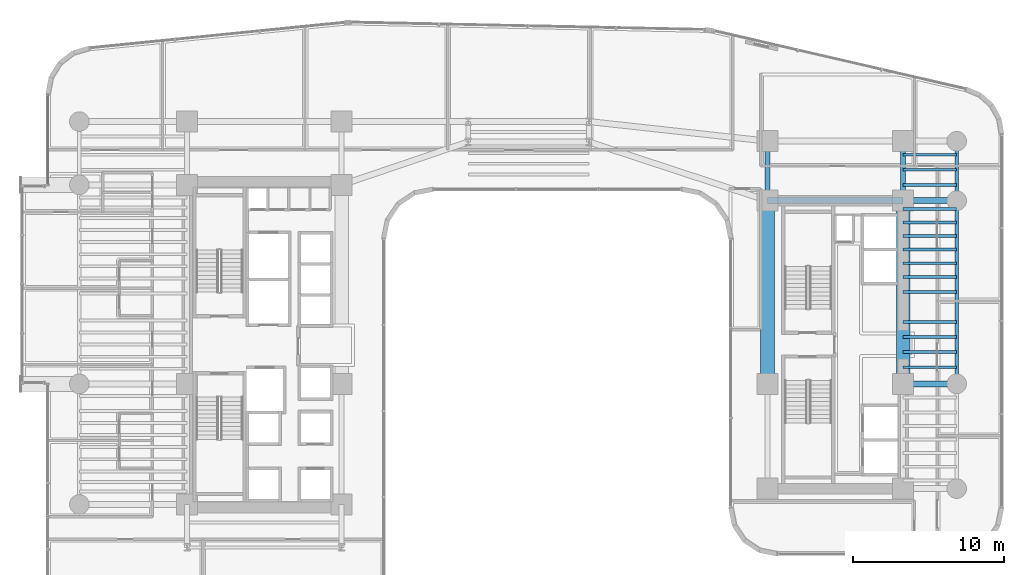
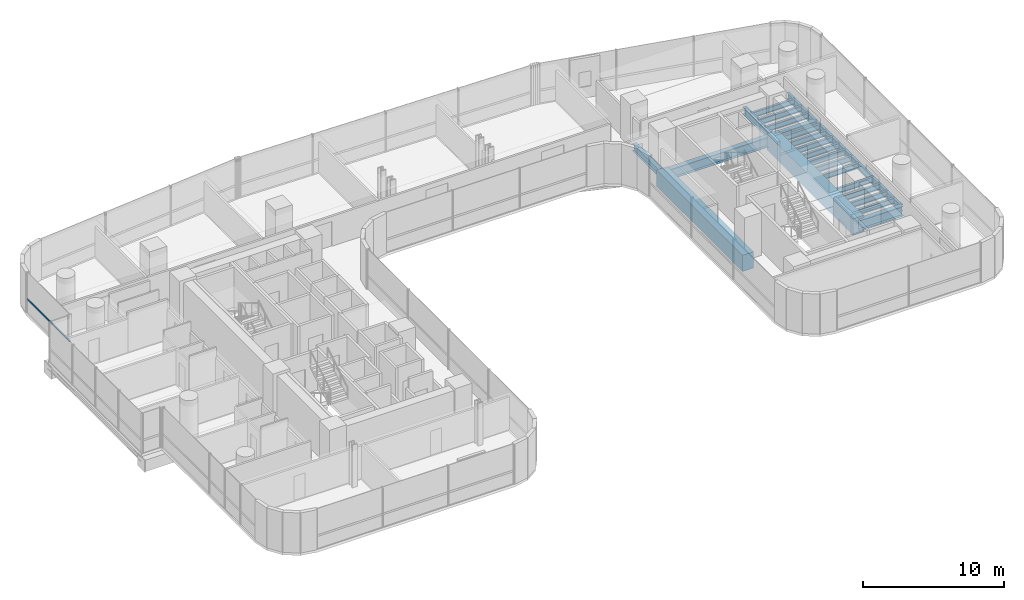
# One storey, part 16 of 39: 23 beams, 1 member, 1 element without a shape of its own.
"""IFC4 building model written with IfcOpenShell, lengths in metres."""

from ifc_helpers import new_model, si_unit, direction, frame, origin, origin_2d, place, context, subcontext, project, spatial, rectangle, hollow_rectangle, i_section, extrude, source, transform, mapped, material, material_profile, profile_set, type_object, element, aggregate, save


model = new_model("IFC4")

# Units and contexts
model_context = context("Model", 3, precision=1e-05, world=origin(), true_north=direction((0.0, 1.0)))
body_context = subcontext(model_context, "Body", "Model", "MODEL_VIEW")
ifc_project = project(units=[si_unit("LENGTHUNIT", "METRE"), si_unit("AREAUNIT", "SQUARE_METRE"), si_unit("VOLUMEUNIT", "CUBIC_METRE"), si_unit("PLANEANGLEUNIT", "RADIAN"), si_unit("MASSUNIT", "GRAM", prefix="KILO")], contexts=[model_context])

# Site, building, storey
site_placement = place(None, origin())
site = spatial("IfcSite", under=ifc_project, at=site_placement, CompositionType="ELEMENT")
building_placement = place(site_placement, origin())
building = spatial("IfcBuilding", under=site, at=building_placement, Name="Valdorenza Pilgrim Sanctuary Tower", CompositionType="ELEMENT")
storey_placement = place(building_placement, frame((0.0, 0.0, 77.800048828125)))
storey = spatial("IfcBuildingStorey", under=building, at=storey_placement, Name="L19", CompositionType="ELEMENT", Elevation=77.800048828125)

# Beams
ifc_material_1 = material(Name="Concrete C60/75", Category="concrete")
ifc_material_profile_1 = material_profile(ifc_material_1, rectangle(XDim=0.89990234375, YDim=1.39990234375, at=origin_2d()), Name="RC 1400x900")
ifc_profile_set_1 = profile_set([ifc_material_profile_1], Name="Concrete C60/75")
beam_type_1 = type_object("IfcBeamType", Name="STR-BM-LNT-1400", PredefinedType="LINTEL", material=ifc_profile_set_1)
shared_shape_1 = source(origin(), body_context, "Body", "SweptSolid", [
    extrude(rectangle(XDim=0.89990234375, YDim=1.39990234375, at=origin_2d()), origin(), (0.0, 0.0, 1.0), 12.150146484375),
])
for number, where, z_axis, x_axis, name in (
    (1, (15.85009765625, -2.60009765625, -0.739990234375), (0.0, 1.0, 0.0), (-1.0, 0.0, 0.0), "L19 Core B West Coupling Lintel Girder"),
    (2, (24.85009765625, -2.60009765625, -0.739990234375), (0.0, 1.0, 0.0), (-1.0, 0.0, 0.0), "L19 Core B East Coupling Lintel Girder"),
):
    element("IfcBeam", number, at=place(storey_placement, frame(where, z_axis=z_axis, x_axis=x_axis)), inside=storey, type_object=beam_type_1, Name=name, PredefinedType="LINTEL", context=body_context, shape_type="MappedRepresentation", body=[
        mapped(shared_shape_1, transform((0.0, 0.0, 0.0), x_axis=(1.0, 0.0, 0.0), y_axis=(0.0, 1.0, 0.0), z_axis=(0.0, 0.0, 1.0), scale=1.0)),
    ])
ifc_material_2 = material(Name="Steel ASTM A992 Grade 50", Category="steel")
ifc_material_profile_2 = material_profile(ifc_material_2, i_section(OverallWidth=0.214111328125, OverallDepth=0.549072265625, WebThickness=0.0146484375, FlangeThickness=0.023681640625, at=origin_2d()), Name="W21X93")
ifc_profile_set_2 = profile_set([ifc_material_profile_2], Name="Steel ASTM A992 Grade 50")
beam_type_2 = type_object("IfcBeamType", Name="STR-BM-SPN-W21A", PredefinedType="SPANDREL", material=ifc_profile_set_2)
shared_shape_2 = source(origin(), body_context, "Body", "SweptSolid", [
    extrude(i_section(OverallWidth=0.214111328125, OverallDepth=0.549072265625, WebThickness=0.0146484375, FlangeThickness=0.023681640625, at=origin_2d()), origin(), (0.0, 0.0, 1.0), 12.150146484375),
])
beam_1_placement = place(storey_placement, frame((28.39990234375, -2.60009765625, -0.5146484375), z_axis=(0.0, 1.0, 0.0), x_axis=(-1.0, 0.0, 0.0)))
element("IfcBeam", 3, at=beam_1_placement, inside=storey, type_object=beam_type_2, Name="L19 Spandrel Beam WB-E-M0N1", PredefinedType="SPANDREL", context=body_context, shape_type="MappedRepresentation", body=[
    mapped(shared_shape_2, transform((0.0, 0.0, 0.0), x_axis=(1.0, 0.0, 0.0), y_axis=(0.0, 1.0, 0.0), z_axis=(0.0, 0.0, 1.0), scale=1.0)),
])
ifc_material_profile_3 = material_profile(ifc_material_2, i_section(OverallWidth=0.323974609375, OverallDepth=0.611083984375, WebThickness=0.0126953125, FlangeThickness=0.01904296875, at=origin_2d()), Name="W24X104")
ifc_profile_set_3 = profile_set([ifc_material_profile_3], Name="Steel ASTM A992 Grade 50")
beam_type_3 = type_object("IfcBeamType", Name="STR-BM-GRD-W24B", PredefinedType="BEAM", material=ifc_profile_set_3)
shared_shape_3 = source(origin(), body_context, "Body", "SweptSolid", [
    extrude(i_section(OverallWidth=0.323974609375, OverallDepth=0.611083984375, WebThickness=0.0126953125, FlangeThickness=0.01904296875, at=origin_2d()), origin(), (0.0, 0.0, 1.0), 3.949951171875),
])
for number, where, z_axis, x_axis, name in (
    (4, (15.85009765625, 9.550048828125, -0.545654296875), (0.0, 1.0, 0.0), (-1.0, 0.0, 0.0), "L19 Core Tie Girder CB-W-N1N2"),
    (5, (24.85009765625, 9.550048828125, -0.545654296875), (0.0, 1.0, 0.0), (-1.0, 0.0, 0.0), "L19 Core Tie Girder CB-E-N1N2"),
):
    element("IfcBeam", number, at=place(storey_placement, frame(where, z_axis=z_axis, x_axis=x_axis)), inside=storey, type_object=beam_type_3, Name=name, PredefinedType="BEAM", context=body_context, shape_type="MappedRepresentation", body=[
        mapped(shared_shape_3, transform((0.0, 0.0, 0.0), x_axis=(1.0, 0.0, 0.0), y_axis=(0.0, 1.0, 0.0), z_axis=(0.0, 0.0, 1.0), scale=1.0)),
    ])
shared_shape_4 = source(origin(), body_context, "Body", "SweptSolid", [
    extrude(i_section(OverallWidth=0.214111328125, OverallDepth=0.549072265625, WebThickness=0.0146484375, FlangeThickness=0.023681640625, at=origin_2d()), origin(), (0.0, 0.0, 1.0), 3.949951171875),
])
beam_2_placement = place(storey_placement, frame((28.39990234375, 9.550048828125, -0.5146484375), z_axis=(0.0, 1.0, 0.0), x_axis=(-1.0, 0.0, 0.0)))
element("IfcBeam", 6, at=beam_2_placement, inside=storey, type_object=beam_type_2, Name="L19 Spandrel Beam WB-E-N1N2", PredefinedType="SPANDREL", context=body_context, shape_type="MappedRepresentation", body=[
    mapped(shared_shape_4, transform((0.0, 0.0, 0.0), x_axis=(1.0, 0.0, 0.0), y_axis=(0.0, 1.0, 0.0), z_axis=(0.0, 0.0, 1.0), scale=1.0)),
])
ifc_material_profile_4 = material_profile(ifc_material_2, i_section(OverallWidth=0.193115234375, OverallDepth=0.466064453125, WebThickness=0.011474609375, FlangeThickness=0.01904296875, at=origin_2d()), Name="W18X65")
ifc_profile_set_4 = profile_set([ifc_material_profile_4], Name="Steel ASTM A992 Grade 50")
beam_type_4 = type_object("IfcBeamType", Name="STR-BM-JST-W18A", PredefinedType="JOIST", material=ifc_profile_set_4)
shared_shape_5 = source(origin(), body_context, "Body", "SweptSolid", [
    extrude(i_section(OverallWidth=0.193115234375, OverallDepth=0.466064453125, WebThickness=0.011474609375, FlangeThickness=0.01904296875, at=origin_2d()), origin(), (0.0, 0.0, 1.0), 3.5498046875),
])
for number, where, z_axis, x_axis, name in (
    (7, (24.85009765625, -1.5, -0.47314453125), (1.0, 0.0, 0.0), (0.0, 1.0, 0.0), "L19 Composite Floor Joist JST-WB-8"),
    (8, (24.85009765625, -0.5, -0.47314453125), (1.0, 0.0, 0.0), (0.0, 1.0, 0.0), "L19 Composite Floor Joist JST-WB-9"),
    (9, (24.85009765625, 0.5, -0.47314453125), (1.0, 0.0, 0.0), (0.0, 1.0, 0.0), "L19 Composite Floor Joist JST-WB-10"),
    (10, (24.85009765625, 1.5, -0.47314453125), (1.0, 0.0, 0.0), (0.0, 1.0, 0.0), "L19 Composite Floor Joist JST-WB-11"),
    (11, (24.85009765625, 3.5, -0.47314453125), (1.0, 0.0, 0.0), (0.0, 1.0, 0.0), "L19 Composite Floor Joist JST-WB-12"),
    (12, (24.85009765625, 4.5, -0.47314453125), (1.0, 0.0, 0.0), (0.0, 1.0, 0.0), "L19 Composite Floor Joist JST-WB-13"),
    (13, (24.85009765625, 5.39990234375, -0.47314453125), (1.0, 0.0, 0.0), (0.0, 1.0, 0.0), "L19 Composite Floor Joist JST-WB-14"),
    (14, (24.85009765625, 6.300048828125, -0.47314453125), (1.0, 0.0, 0.0), (0.0, 1.0, 0.0), "L19 Composite Floor Joist JST-WB-15"),
    (15, (24.85009765625, 7.199951171875, -0.47314453125), (1.0, 0.0, 0.0), (0.0, 1.0, 0.0), "L19 Composite Floor Joist JST-WB-16"),
    (16, (24.85009765625, 8.10009765625, -0.47314453125), (1.0, 0.0, 0.0), (0.0, 1.0, 0.0), "L19 Composite Floor Joist JST-WB-17"),
    (17, (24.85009765625, 9.0, -0.47314453125), (1.0, 0.0, 0.0), (0.0, 1.0, 0.0), "L19 Composite Floor Joist JST-WB-18"),
    (18, (24.85009765625, 10.60009765625, -0.47314453125), (1.0, 0.0, 0.0), (0.0, 1.0, 0.0), "L19 Composite Floor Joist JST-WB-19"),
    (19, (24.85009765625, 11.60009765625, -0.47314453125), (1.0, 0.0, 0.0), (0.0, 1.0, 0.0), "L19 Composite Floor Joist JST-WB-20"),
    (20, (24.85009765625, 12.60009765625, -0.47314453125), (1.0, 0.0, 0.0), (0.0, 1.0, 0.0), "L19 Composite Floor Joist JST-WB-21"),
):
    element("IfcBeam", number, at=place(storey_placement, frame(where, z_axis=z_axis, x_axis=x_axis)), inside=storey, type_object=beam_type_4, Name=name, PredefinedType="JOIST", context=body_context, shape_type="MappedRepresentation", body=[
        mapped(shared_shape_5, transform((0.0, 0.0, 0.0), x_axis=(1.0, 0.0, 0.0), y_axis=(0.0, 1.0, 0.0), z_axis=(0.0, 0.0, 1.0), scale=1.0)),
    ])
ifc_material_profile_5 = material_profile(ifc_material_2, i_section(OverallWidth=0.39990234375, OverallDepth=0.862060546875, WebThickness=0.019775390625, FlangeThickness=0.032470703125, at=origin_2d()), Name="W33X221")
ifc_profile_set_5 = profile_set([ifc_material_profile_5], Name="Steel ASTM A992 Grade 50")
beam_type_5 = type_object("IfcBeamType", Name="STR-BM-GRD-W33", PredefinedType="BEAM", material=ifc_profile_set_5)
shared_shape_6 = source(origin(), body_context, "Body", "SweptSolid", [
    extrude(i_section(OverallWidth=0.39990234375, OverallDepth=0.862060546875, WebThickness=0.019775390625, FlangeThickness=0.032470703125, at=origin_2d()), origin(), (0.0, 0.0, 1.0), 9.0),
])
beam_3_placement = place(storey_placement, frame((15.85009765625, 9.550048828125, -0.671142578125), z_axis=(1.0, 0.0, 0.0), x_axis=(0.0, 1.0, 0.0)))
element("IfcBeam", 21, at=beam_3_placement, inside=storey, type_object=beam_type_5, Name="L19 Floor Girder CB-XC-N1", PredefinedType="BEAM", context=body_context, shape_type="MappedRepresentation", body=[
    mapped(shared_shape_6, transform((0.0, 0.0, 0.0), x_axis=(1.0, 0.0, 0.0), y_axis=(0.0, 1.0, 0.0), z_axis=(0.0, 0.0, 1.0), scale=1.0)),
])
shared_shape_7 = source(origin(), body_context, "Body", "SweptSolid", [
    extrude(i_section(OverallWidth=0.39990234375, OverallDepth=0.862060546875, WebThickness=0.019775390625, FlangeThickness=0.032470703125, at=origin_2d()), origin(), (0.0, 0.0, 1.0), 3.5498046875),
])
for number, where, z_axis, x_axis, name in (
    (22, (24.85009765625, -2.60009765625, -0.671142578125), (1.0, 0.0, 0.0), (0.0, 1.0, 0.0), "L19 Floor Girder WB-XE-M0"),
    (23, (24.85009765625, 9.550048828125, -0.671142578125), (1.0, 0.0, 0.0), (0.0, 1.0, 0.0), "L19 Floor Girder WB-XE-N1"),
):
    element("IfcBeam", number, at=place(storey_placement, frame(where, z_axis=z_axis, x_axis=x_axis)), inside=storey, type_object=beam_type_5, Name=name, PredefinedType="BEAM", context=body_context, shape_type="MappedRepresentation", body=[
        mapped(shared_shape_7, transform((0.0, 0.0, 0.0), x_axis=(1.0, 0.0, 0.0), y_axis=(0.0, 1.0, 0.0), z_axis=(0.0, 0.0, 1.0), scale=1.0)),
    ])

# Curtain wall, member
ifc_material_3 = material(Name="Curtain-wall IGU glazing", Category="glass")
curtain_wall_type = type_object("IfcCurtainWallType", Name="CW-SYS-02", PredefinedType="NOTDEFINED", material=ifc_material_3)
curtain_wall_placement = place(storey_placement, origin())
curtain_wall = element("IfcCurtainWall", 24, at=curtain_wall_placement, inside=storey, type_object=curtain_wall_type, Name="L19 Curtain Wall CW-L19-1-1S2", PredefinedType="NOTDEFINED")
ifc_material_4 = material(Name="Anodised aluminium AW-6060", Category="aluminium")
ifc_material_profile_6 = material_profile(ifc_material_4, hollow_rectangle(XDim=0.074951171875, YDim=0.14990234375, WallThickness=0.00390625, at=origin_2d()), Name="ALU-T 150x75x4")
ifc_profile_set_6 = profile_set([ifc_material_profile_6], Name="Anodised aluminium AW-6060")
member_type = type_object("IfcMemberType", Name="CW-TRN-02", PredefinedType="USERDEFINED", material=ifc_profile_set_6)
shared_shape_8 = source(origin(), body_context, "Body", "SweptSolid", [
    extrude(hollow_rectangle(XDim=0.074951171875, YDim=0.14990234375, WallThickness=0.00390625, at=origin_2d()), origin(), (0.0, 0.0, 1.0), 5.993896484375),
])
member_placement = place(storey_placement, frame((-31.889892578125, 10.60009765625, 1.119873046875), z_axis=(0.0, 1.0, 0.0), x_axis=(-1.0, 0.0, 0.0)))
member = element("IfcMember", 25, at=member_placement, type_object=member_type, Name="CW-L19-1-1S2 Transom 1", ObjectType="TRANSOM", PredefinedType="USERDEFINED", context=body_context, shape_type="MappedRepresentation", body=[
    mapped(shared_shape_8, transform((0.0, 0.0, 0.0), x_axis=(1.0, 0.0, 0.0), y_axis=(0.0, 1.0, 0.0), z_axis=(0.0, 0.0, 1.0), scale=1.0)),
])
aggregate(curtain_wall, [member])

save(model, "model.ifc")
